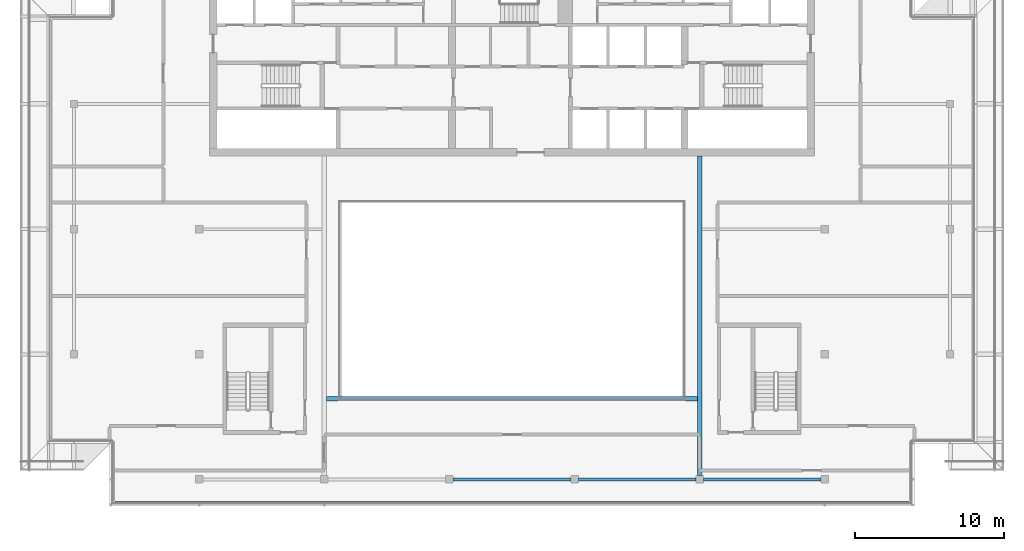
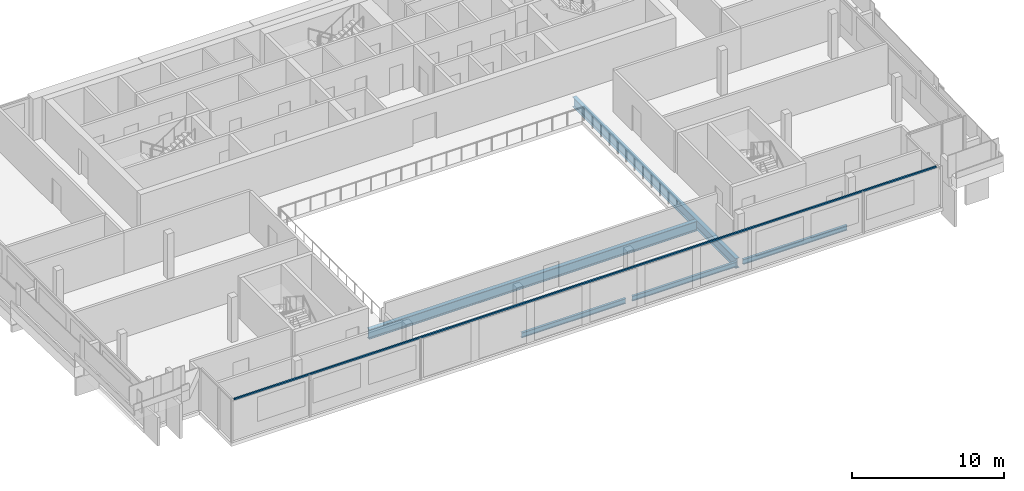
# One storey, part 4 of 20: 5 beams, 1 member, 1 element without a shape of its own.
"""IFC4 building model written with IfcOpenShell, lengths in metres."""

from ifc_helpers import new_model, si_unit, direction, frame, origin, origin_2d, place, context, subcontext, project, spatial, rectangle, i_section, extrude, material, material_profile, profile_set, type_object, element, aggregate, save


model = new_model("IFC4")

# Units and contexts
model_context = context("Model", 3, precision=1e-05, world=origin(), true_north=direction((0.0, 1.0)))
body_context = subcontext(model_context, "Body", "Model", "MODEL_VIEW")
ifc_project = project(units=[si_unit("LENGTHUNIT", "METRE"), si_unit("AREAUNIT", "SQUARE_METRE"), si_unit("VOLUMEUNIT", "CUBIC_METRE"), si_unit("PLANEANGLEUNIT", "RADIAN"), si_unit("MASSUNIT", "GRAM", prefix="KILO")], contexts=[model_context])

# Site, building, storey
site_placement = place(None, origin())
site = spatial("IfcSite", under=ifc_project, at=site_placement, CompositionType="ELEMENT")
building_placement = place(site_placement, origin())
building = spatial("IfcBuilding", under=site, at=building_placement, Name="Saffron Gate Tower", CompositionType="ELEMENT")
storey_placement = place(building_placement, frame((0.0, 0.0, 303.14990234375)))
storey = spatial("IfcBuildingStorey", under=building, at=storey_placement, Name="L74", CompositionType="ELEMENT", Elevation=303.14990234375)

# Beams
ifc_material_1 = material(Name="Structural steel S355", Category="steel")
ifc_material_profile_1 = material_profile(ifc_material_1, i_section(OverallWidth=0.300048828125, OverallDepth=0.7900390625, WebThickness=0.014892578125, FlangeThickness=0.028076171875, FilletRadius=0.030029296875, at=origin_2d()))
ifc_profile_set_1 = profile_set([ifc_material_profile_1], Name="Structural steel S355")
beam_type_1 = type_object("IfcBeamType", Name="B18 HEA 800", PredefinedType="BEAM", material=ifc_profile_set_1)
beam_1_placement = place(storey_placement, frame((100.199951171875, 40.449951171875, -0.6748046875), z_axis=(0.0, 1.0, 0.0), x_axis=(-1.0, 0.0, 0.0)))
element("IfcBeam", 1, at=beam_1_placement, inside=storey, type_object=beam_type_1, Name="B18 ATRIUM GIRDER", PredefinedType="BEAM", context=body_context, shape_type="SweptSolid", body=[
    extrude(i_section(OverallWidth=0.300048828125, OverallDepth=0.7900390625, WebThickness=0.014892578125, FlangeThickness=0.028076171875, FilletRadius=0.030029296875, at=origin_2d()), origin(), (0.0, 0.0, 1.0), 21.449951171875),
])
beam_2_placement = place(storey_placement, frame((75.14990234375, 45.60009765625, -0.6748046875), z_axis=(1.0, 0.0, 0.0), x_axis=(0.0, 1.0, 0.0)))
element("IfcBeam", 2, at=beam_2_placement, inside=storey, type_object=beam_type_1, Name="B18 ATRIUM GIRDER", PredefinedType="BEAM", context=body_context, shape_type="SweptSolid", body=[
    extrude(i_section(OverallWidth=0.300048828125, OverallDepth=0.7900390625, WebThickness=0.014892578125, FlangeThickness=0.028076171875, FilletRadius=0.030029296875, at=origin_2d()), origin(), (0.0, 0.0, 1.0), 24.900146484375),
])
ifc_material_profile_2 = material_profile(ifc_material_1, i_section(OverallWidth=0.179931640625, OverallDepth=0.39990234375, WebThickness=0.008544921875, FlangeThickness=0.013427734375, FilletRadius=0.02099609375, at=origin_2d()))
ifc_profile_set_2 = profile_set([ifc_material_profile_2], Name="Structural steel S355")
beam_type_2 = type_object("IfcBeamType", Name="B5 IPE 400", PredefinedType="SPANDREL", material=ifc_profile_set_2)
beam_3_placement = place(storey_placement, frame((83.64990234375, 40.199951171875, -0.47998046875), z_axis=(1.0, 0.0, 0.0), x_axis=(0.0, 1.0, 0.0)))
element("IfcBeam", 3, at=beam_3_placement, inside=storey, type_object=beam_type_2, Name="B5 SPANDREL BEAM", PredefinedType="SPANDREL", context=body_context, shape_type="SweptSolid", body=[
    extrude(i_section(OverallWidth=0.179931640625, OverallDepth=0.39990234375, WebThickness=0.008544921875, FlangeThickness=0.013427734375, FilletRadius=0.02099609375, at=origin_2d()), origin(), (0.0, 0.0, 1.0), 7.900146484375),
])
beam_4_placement = place(storey_placement, frame((92.050048828125, 40.199951171875, -0.47998046875), z_axis=(1.0, 0.0, 0.0), x_axis=(0.0, 1.0, 0.0)))
element("IfcBeam", 4, at=beam_4_placement, inside=storey, type_object=beam_type_2, Name="B5 SPANDREL BEAM", PredefinedType="SPANDREL", context=body_context, shape_type="SweptSolid", body=[
    extrude(i_section(OverallWidth=0.179931640625, OverallDepth=0.39990234375, WebThickness=0.008544921875, FlangeThickness=0.013427734375, FilletRadius=0.02099609375, at=origin_2d()), origin(), (0.0, 0.0, 1.0), 7.89990234375),
])
beam_5_placement = place(storey_placement, frame((100.449951171875, 40.199951171875, -0.47998046875), z_axis=(1.0, 0.0, 0.0), x_axis=(0.0, 1.0, 0.0)))
element("IfcBeam", 5, at=beam_5_placement, inside=storey, type_object=beam_type_2, Name="B5 SPANDREL BEAM", PredefinedType="SPANDREL", context=body_context, shape_type="SweptSolid", body=[
    extrude(i_section(OverallWidth=0.179931640625, OverallDepth=0.39990234375, WebThickness=0.008544921875, FlangeThickness=0.013427734375, FilletRadius=0.02099609375, at=origin_2d()), origin(), (0.0, 0.0, 1.0), 7.900146484375),
])

# Curtain wall, member
ifc_material_2 = material(Name="Aluminium, bronze anodised", Category="aluminium")
curtain_wall_type = type_object("IfcCurtainWallType", Name="CWS1 curtain wall front facade", PredefinedType="NOTDEFINED", material=ifc_material_2)
curtain_wall_placement = place(storey_placement, origin())
curtain_wall = element("IfcCurtainWall", 6, at=curtain_wall_placement, inside=storey, type_object=curtain_wall_type, Name="CWS1 run 1", PredefinedType="NOTDEFINED")
ifc_material_profile_3 = material_profile(ifc_material_2, rectangle(XDim=0.1201171875, YDim=0.1201171875, at=origin_2d()))
ifc_profile_set_3 = profile_set([ifc_material_profile_3], Name="Aluminium, bronze anodised")
member_type = type_object("IfcMemberType", Name="CWS1 head transom", PredefinedType="USERDEFINED", material=ifc_profile_set_3)
member_placement = place(storey_placement, frame((60.968017578125, 38.64794921875, 3.260009765625), z_axis=(1.0, 0.0, 0.0), x_axis=(0.0, 1.0, 0.0)))
member = element("IfcMember", 7, at=member_placement, type_object=member_type, Name="CWS1 head transom", ObjectType="TRANSOM", PredefinedType="USERDEFINED", context=body_context, shape_type="SweptSolid", body=[
    extrude(rectangle(XDim=0.1201171875, YDim=0.1201171875, at=origin_2d()), origin(), (0.0, 0.0, 1.0), 53.263916015625),
])
aggregate(curtain_wall, [member])

save(model, "model.ifc")
